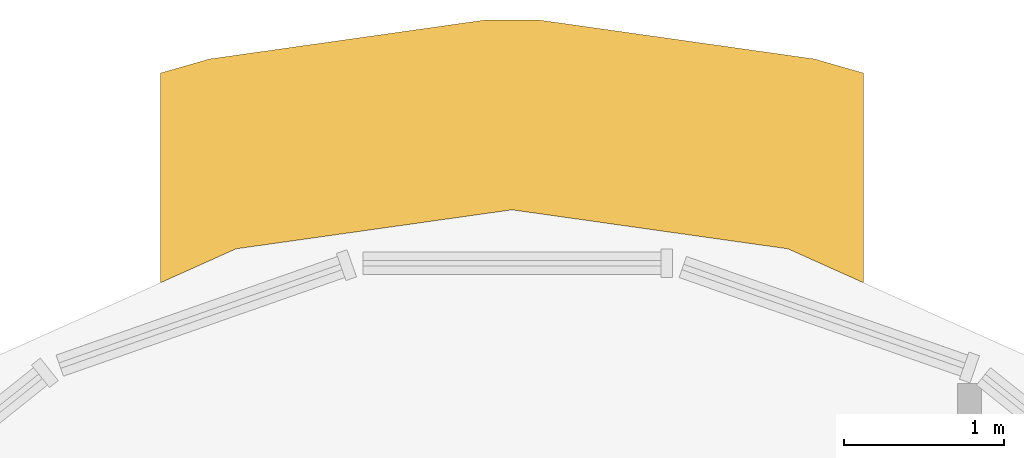
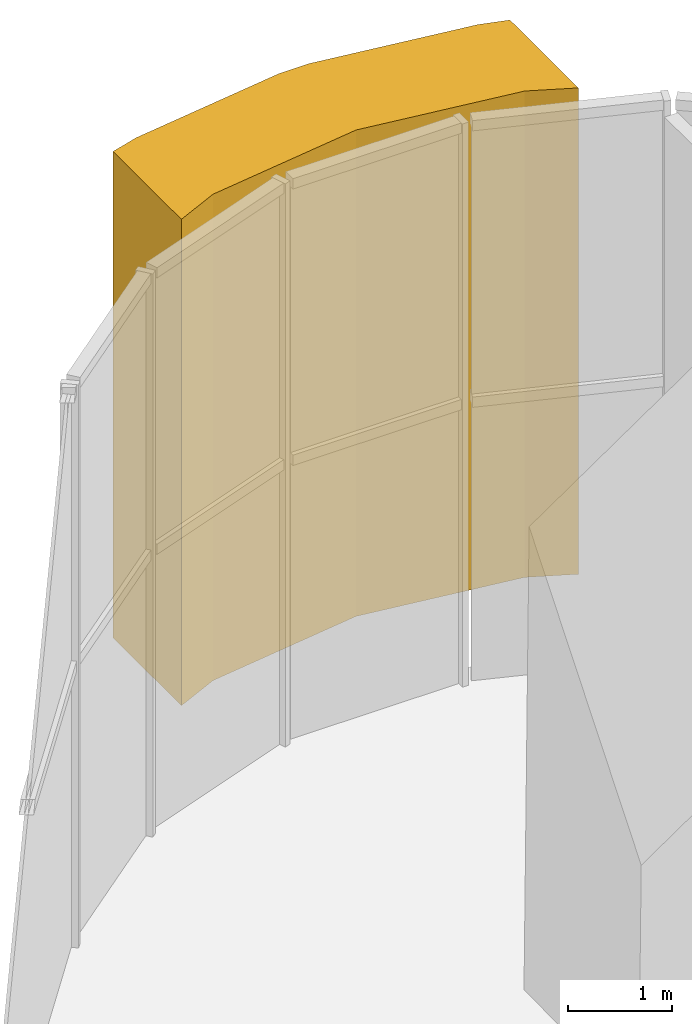
# One storey, part 14 of 15: 1 covering.
"""IFC4 building model written with IfcOpenShell, lengths in metres."""

import ifcopenshell
import ifcopenshell.guid

model = None  # the IFC model being written
_history = None  # IfcOwnerHistory: only IFC2X3 demands one
_inside = {}  # id of a spatial element -> (the spatial element, [elements in it])
_under = {}  # id of a project, library or spatial element -> (it, [spatial elements below it])
_declared = {}  # id of a project -> (the project, [libraries it declares])
_typed = {}  # id of a type object -> (the type object, [elements of that type])
_made_of = {}  # id of a material, layer set ... -> (it, [elements and type objects made of it])


def new_model(schema):
    """Start an empty IFC model of exactly this schema.

    Asked for "IFC4X3", IfcOpenShell would pick the latest addendum, in which some entities
    have other attributes; the version numbers below select the first issue.
    IFC2X3 requires an IfcOwnerHistory on every rooted entity: one is made here for all.
    """
    global model, _history
    if schema == "IFC4X3":
        model = ifcopenshell.file(schema_version=(4, 3, 0, 0))
    else:
        model = ifcopenshell.file(schema=schema)
    _inside.clear()
    _under.clear()
    _declared.clear()
    _typed.clear()
    _made_of.clear()
    _history = None
    if model.schema == "IFC2X3":
        org = make("IfcOrganization", Name="unknown")
        user = make(
            "IfcPersonAndOrganization",
            ThePerson=make("IfcPerson", FamilyName="unknown"),
            TheOrganization=org,
        )
        app = make(
            "IfcApplication",
            ApplicationDeveloper=org,
            Version="unknown",
            ApplicationFullName="unknown",
            ApplicationIdentifier="unknown",
        )
        _history = make(
            "IfcOwnerHistory",
            OwningUser=user,
            OwningApplication=app,
            ChangeAction="ADDED",
            CreationDate=0,
        )
    return model


def make(cls, **values):
    """One entity of the class cls with the attributes given. An attribute that is None is left unset."""
    return model.create_entity(
        cls, **{name: value for name, value in values.items() if value is not None}
    )


def rooted(cls, **values):
    """An entity with a GlobalId (a new one), such as an element, a storey or a relation."""
    return make(cls, GlobalId=ifcopenshell.guid.new(), OwnerHistory=_history, **values)


def si_unit(unit_type, name, prefix=None):
    """IfcSIUnit, for example si_unit("LENGTHUNIT", "METRE", prefix="MILLI")."""
    return make("IfcSIUnit", UnitType=unit_type, Prefix=prefix, Name=name)


def assignment(units):
    """IfcUnitAssignment: the units of a project."""
    return None if units is None else make("IfcUnitAssignment", Units=units)


def point(xyz):
    """IfcCartesianPoint."""
    return None if xyz is None else make("IfcCartesianPoint", Coordinates=xyz)


def direction(xyz):
    """IfcDirection."""
    return None if xyz is None else make("IfcDirection", DirectionRatios=xyz)


def frame(location, z_axis=None, x_axis=None):
    """IfcAxis2Placement3D, a coordinate frame: its origin and axes. An axis left out is left unset."""
    return make(
        "IfcAxis2Placement3D",
        Location=point(location),
        Axis=direction(z_axis),
        RefDirection=direction(x_axis),
    )


def origin():
    """The frame at (0, 0, 0) with its axes left unset."""
    return frame((0.0, 0.0, 0.0))


def place(relative_to, where):
    """IfcLocalPlacement: puts the frame where relative to a parent placement (None: the world)."""
    return make(
        "IfcLocalPlacement", PlacementRelTo=relative_to, RelativePlacement=where
    )


def context(
    kind, dimensions, precision=None, world=None, true_north=None, identifier=None
):
    """IfcGeometricRepresentationContext, for example the 3D "Model" context."""
    return make(
        "IfcGeometricRepresentationContext",
        ContextIdentifier=identifier,
        ContextType=kind,
        CoordinateSpaceDimension=dimensions,
        Precision=precision,
        WorldCoordinateSystem=world,
        TrueNorth=true_north,
    )


def subcontext(parent, identifier, kind, view, scale=None):
    """IfcGeometricRepresentationSubContext, for example "Body" below "Model"."""
    return make(
        "IfcGeometricRepresentationSubContext",
        ContextIdentifier=identifier,
        ContextType=kind,
        ParentContext=parent,
        TargetScale=scale,
        TargetView=view,
    )


def project(units=None, contexts=None):
    """IfcProject with its units and contexts."""
    return rooted(
        "IfcProject",
        Name="project",
        RepresentationContexts=contexts,
        UnitsInContext=assignment(units),
    )


def spatial(cls, under=None, at=None, **own):
    """A site, building, storey or space (cls), placed at a placement, below another one or the project."""
    s = rooted(cls, ObjectPlacement=at, **own)
    if under is not None:
        _under.setdefault(under.id(), (under, []))[1].append(s)
    return s


def polyline(points):
    """IfcPolyline through the points."""
    return make("IfcPolyline", Points=[point(p) for p in points])


def outline(outer, holes=None, kind="AREA"):
    """IfcArbitraryClosedProfileDef: a profile drawn as a closed curve; with holes, ...WithVoids."""
    if holes is None:
        return make("IfcArbitraryClosedProfileDef", ProfileType=kind, OuterCurve=outer)
    return make(
        "IfcArbitraryProfileDefWithVoids",
        ProfileType=kind,
        OuterCurve=outer,
        InnerCurves=holes,
    )


def extrude(swept, where, along, depth):
    """IfcExtrudedAreaSolid: the profile swept, set in the frame where, extruded along a direction by depth."""
    return make(
        "IfcExtrudedAreaSolid",
        SweptArea=swept,
        Position=where,
        ExtrudedDirection=direction(along),
        Depth=depth,
    )


def shape(context_of_items, identifier, shape_type, items):
    """IfcShapeRepresentation: the items that make up one representation, for example the "Body"."""
    return make(
        "IfcShapeRepresentation",
        ContextOfItems=context_of_items,
        RepresentationIdentifier=identifier,
        RepresentationType=shape_type,
        Items=items,
    )


def material(Name=None, Category=None):
    """IfcMaterial."""
    return make("IfcMaterial", Name=Name, Category=Category)


def layer(
    of_material, thickness, ventilated=None, Name=None, Category=None, Priority=None
):
    """IfcMaterialLayer: one layer of a wall or slab, of a material (None: an air gap)."""
    return make(
        "IfcMaterialLayer",
        Material=of_material,
        LayerThickness=thickness,
        IsVentilated=ventilated,
        Name=Name,
        Category=Category,
        Priority=Priority,
    )


def layer_set(layers, Name=None):
    """IfcMaterialLayerSet."""
    return make("IfcMaterialLayerSet", MaterialLayers=layers, LayerSetName=Name)


def made_of(thing, what):
    """Note that an element or type object is made of a material, layer set ...; save() writes the relation."""
    if what is not None:
        _made_of.setdefault(what.id(), (what, []))[1].append(thing)
    return thing


def type_object(cls, material=None, **own):
    """A type object (cls), such as IfcWallType, which elements share."""
    return made_of(rooted(cls, **own), material)


def element(
    cls,
    number,
    at=None,
    inside=None,
    cuts=None,
    type_object=None,
    material=None,
    context=None,
    identifier="Body",
    shape_type=None,
    held_by="IfcProductDefinitionShape",
    body=None,
    shapes=None,
    **own,
):
    """One element of the class cls, such as IfcWall. Its Tag is "e" and its number.

    at: its placement. inside: the storey or other place that contains it. cuts: it is an
    opening in that element (IfcRelVoidsElement). A single representation is given by context,
    identifier, shape_type and body (its items); several are given by shapes. held_by: the class
    of the entity that holds the representations. save() writes the other relations.
    """
    e = rooted(cls, Tag="e%d" % number, ObjectPlacement=at, **own)
    if body is not None:
        shapes = [shape(context, identifier, shape_type, body)]
    if shapes is not None:
        e.Representation = make(held_by, Representations=shapes)
    if inside is not None:
        _inside.setdefault(inside.id(), (inside, []))[1].append(e)
    if cuts is not None:
        rooted(
            "IfcRelVoidsElement", RelatingBuildingElement=cuts, RelatedOpeningElement=e
        )
    if type_object is not None:
        _typed.setdefault(type_object.id(), (type_object, []))[1].append(e)
    return made_of(e, material)


def aggregate(whole, parts):
    """IfcRelAggregates: a whole, such as a stair, and the parts it consists of."""
    return rooted("IfcRelAggregates", RelatingObject=whole, RelatedObjects=parts)


def save(model, path):
    """Write the relations noted so far, then the file.

    IfcRelAggregates (storeys below a building ...), IfcRelContainedInSpatialStructure (elements
    in a storey), IfcRelDefinesByType, IfcRelAssociatesMaterial and IfcRelDeclares: one each for
    every whole, place, type object, material and project.
    """
    for whole, parts in _under.values():
        aggregate(whole, parts)
    for where, things in _inside.values():
        rooted(
            "IfcRelContainedInSpatialStructure",
            RelatedElements=things,
            RelatingStructure=where,
        )
    for kind, things in _typed.values():
        rooted("IfcRelDefinesByType", RelatedObjects=things, RelatingType=kind)
    for what, things in _made_of.values():
        rooted("IfcRelAssociatesMaterial", RelatedObjects=things, RelatingMaterial=what)
    for by, libraries in _declared.values():
        rooted("IfcRelDeclares", RelatingContext=by, RelatedDefinitions=libraries)
    model.write(path)


model = new_model("IFC4")

# Units and contexts
model_context = context("Model", 3, precision=1e-05, world=origin(), true_north=direction((0.0, 1.0)))
body_context = subcontext(model_context, "Body", "Model", "MODEL_VIEW")
ifc_project = project(units=[si_unit("LENGTHUNIT", "METRE"), si_unit("AREAUNIT", "SQUARE_METRE"), si_unit("VOLUMEUNIT", "CUBIC_METRE"), si_unit("PLANEANGLEUNIT", "RADIAN"), si_unit("MASSUNIT", "GRAM", prefix="KILO")], contexts=[model_context])

# Site, building, storey
site_placement = place(None, origin())
site = spatial("IfcSite", under=ifc_project, at=site_placement, CompositionType="ELEMENT")
building_placement = place(site_placement, origin())
building = spatial("IfcBuilding", under=site, at=building_placement, Name="Sierra Prisma Convention Tower", CompositionType="ELEMENT")
storey_placement = place(building_placement, frame((0.0, 0.0, 219.800048828125)))
storey = spatial("IfcBuildingStorey", under=building, at=storey_placement, Name="L49", CompositionType="ELEMENT", Elevation=219.800048828125)

# Covering
ifc_material = material(Name="Aluminium composite bronze anodised", Category="aluminium")
ifc_layer = layer(ifc_material, 1.199951171875)
ifc_layer_set = layer_set([ifc_layer], Name="Bronze corner pier")
covering_type = type_object("IfcCoveringType", Name="Bronze corner pier", PredefinedType="CLADDING", material=ifc_layer_set)
covering_placement = place(storey_placement, frame((0.0, 0.0, 0.89990234375)))
element("IfcCovering", 1, at=covering_placement, inside=storey, type_object=covering_type, Name="Corner pier N L49.1", PredefinedType="CLADDING", context=body_context, shape_type="SweptSolid", body=[
    extrude(outline(polyline([(-0.168212890625, 33.415771484375), (0.168212890625, 33.415771484375), (1.8955078125, 33.17138671875), (2.199951171875, 33.08349609375), (2.199951171875, 31.771240234375), (1.727294921875, 31.9833984375), (0.0, 32.2275390625), (-1.727294921875, 31.9833984375), (-2.199951171875, 31.771240234375), (-2.199951171875, 33.08349609375), (-1.8955078125, 33.17138671875), (-0.168212890625, 33.415771484375)])), origin(), (0.0, 0.0, 1.0), 5.699951171875),
])

save(model, "model.ifc")
